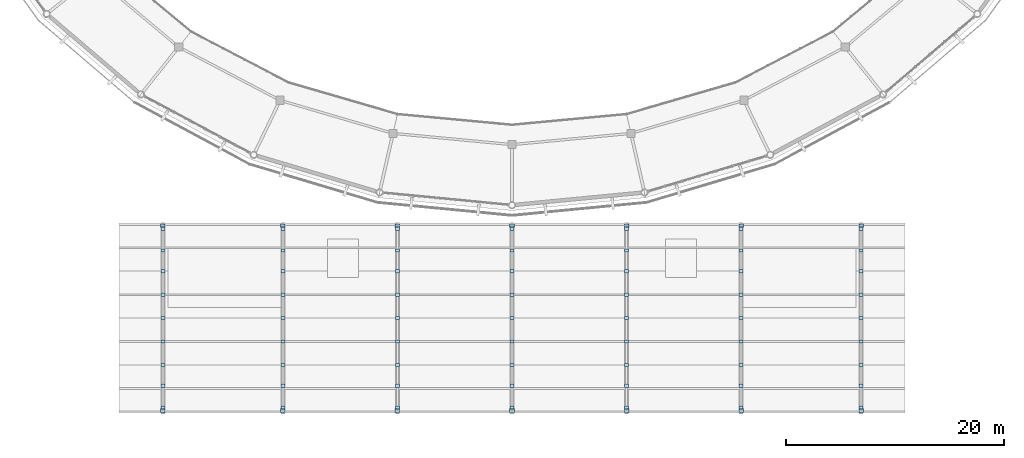
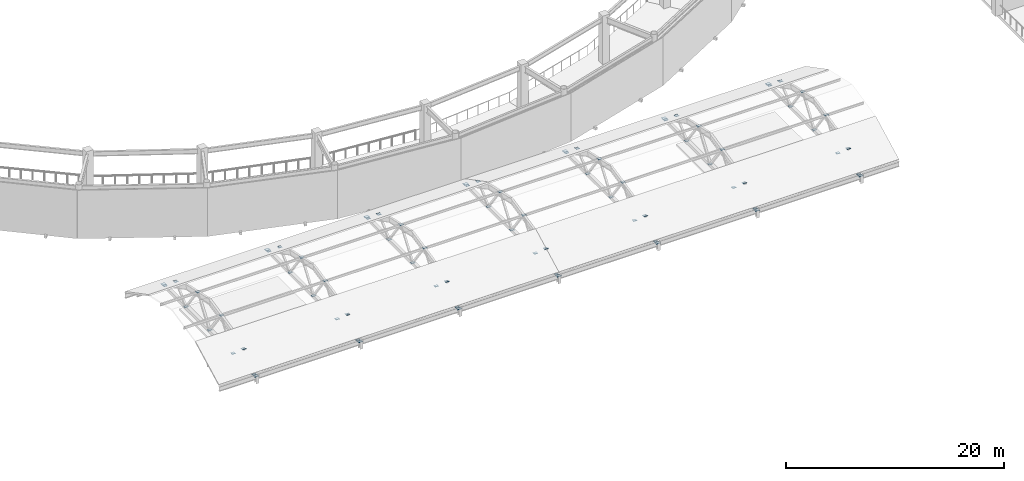
# One storey, part 50 of 70: 77 plates.
"""IFC4 building model written with IfcOpenShell, lengths in metres."""

from ifc_helpers import new_model, si_unit, direction, frame, origin, origin_2d, place, context, subcontext, project, spatial, rectangle, extrude, material, layer, layer_set, type_object, element, save


model = new_model("IFC4")

# Units and contexts
model_context = context("Model", 3, precision=1e-05, world=origin(), true_north=direction((0.0, 1.0)))
body_context = subcontext(model_context, "Body", "Model", "MODEL_VIEW")
ifc_project = project(units=[si_unit("LENGTHUNIT", "METRE"), si_unit("AREAUNIT", "SQUARE_METRE"), si_unit("VOLUMEUNIT", "CUBIC_METRE"), si_unit("PLANEANGLEUNIT", "RADIAN"), si_unit("MASSUNIT", "GRAM", prefix="KILO")], contexts=[model_context])

# Site, building, storey
site_placement = place(None, origin())
site = spatial("IfcSite", under=ifc_project, at=site_placement, CompositionType="ELEMENT")
building_placement = place(site_placement, origin())
building = spatial("IfcBuilding", under=site, at=building_placement, Name="Cuetzalor Civic Arena", CompositionType="ELEMENT")
storey_placement = place(building_placement, frame((0.0, 0.0, 21.0)))
storey = spatial("IfcBuildingStorey", under=building, at=storey_placement, Name="L04", CompositionType="ELEMENT", Elevation=21.0)

# Plates
ifc_material_1 = material(Name="Steel S355", Category="steel")
ifc_layer_1 = layer(ifc_material_1, 0.02001953125)
ifc_layer_set_1 = layer_set([ifc_layer_1], Name="Steel S355")
plate_type_1 = type_object("IfcPlateType", Name="TubeEndCapPlate_CP01", PredefinedType="SHEET", material=ifc_layer_set_1)
for number, where, z_axis, x_axis, name in (
    (1, (-32.0, -65.360107421875, 0.7041015625), (0.0, 0.0, 1.0), (1.0, 0.0, 0.0), "Vault Tie End Cap Plate 01-1"),
    (2, (-32.0, -48.43994140625, 0.7041015625), (0.0, 0.0, 1.0), (1.0, 0.0, 0.0), "Vault Tie End Cap Plate 01-2"),
    (3, (-21.0, -65.360107421875, 0.7041015625), (0.0, 0.0, 1.0), (1.0, 0.0, 0.0), "Vault Tie End Cap Plate 02-1"),
    (4, (-21.0, -48.43994140625, 0.7041015625), (0.0, 0.0, 1.0), (1.0, 0.0, 0.0), "Vault Tie End Cap Plate 02-2"),
    (5, (-10.5, -65.360107421875, 0.7041015625), (0.0, 0.0, 1.0), (1.0, 0.0, 0.0), "Vault Tie End Cap Plate 03-1"),
    (6, (-10.5, -48.43994140625, 0.7041015625), (0.0, 0.0, 1.0), (1.0, 0.0, 0.0), "Vault Tie End Cap Plate 03-2"),
    (7, (0.0, -65.360107421875, 0.7041015625), (0.0, 0.0, 1.0), (1.0, 0.0, 0.0), "Vault Tie End Cap Plate 04-1"),
    (8, (0.0, -48.43994140625, 0.7041015625), (0.0, 0.0, 1.0), (1.0, 0.0, 0.0), "Vault Tie End Cap Plate 04-2"),
    (9, (10.5, -65.360107421875, 0.7041015625), (0.0, 0.0, 1.0), (1.0, 0.0, 0.0), "Vault Tie End Cap Plate 05-1"),
    (10, (10.5, -48.43994140625, 0.7041015625), (0.0, 0.0, 1.0), (1.0, 0.0, 0.0), "Vault Tie End Cap Plate 05-2"),
    (11, (21.0, -65.360107421875, 0.7041015625), (0.0, 0.0, 1.0), (1.0, 0.0, 0.0), "Vault Tie End Cap Plate 06-1"),
    (12, (21.0, -48.43994140625, 0.7041015625), (0.0, 0.0, 1.0), (1.0, 0.0, 0.0), "Vault Tie End Cap Plate 06-2"),
    (13, (32.0, -65.360107421875, 0.7041015625), (0.0, 0.0, 1.0), (1.0, 0.0, 0.0), "Vault Tie End Cap Plate 07-1"),
    (14, (32.0, -48.43994140625, 0.7041015625), (0.0, 0.0, 1.0), (1.0, 0.0, 0.0), "Vault Tie End Cap Plate 07-2"),
):
    element("IfcPlate", number, at=place(storey_placement, frame(where, z_axis=z_axis, x_axis=x_axis)), inside=storey, type_object=plate_type_1, Name=name, PredefinedType="SHEET", context=body_context, shape_type="SweptSolid", body=[
        extrude(rectangle(XDim=0.419921875, YDim=0.360107421875, at=origin_2d()), origin(), (0.0, 0.0, 1.0), 0.02001953125),
    ])
ifc_material_2 = material(Name="Steel S355", Category="steel")
ifc_layer_2 = layer(ifc_material_2, 0.01611328125)
ifc_layer_set_2 = layer_set([ifc_layer_2], Name="Steel S355")
plate_type_2 = type_object("IfcPlateType", Name="TubeEndCapPlate_CP02", PredefinedType="SHEET", material=ifc_layer_set_2)
for number, where, z_axis, x_axis, name in (
    (15, (-32.0, -65.10009765625, 0.7060546875), (0.0, 0.0, 1.0), (1.0, 0.0, 0.0), "Vault Truss Node Plate 01-1"),
    (16, (-32.0, -63.10009765625, 2.380859375), (0.0, 0.0, 1.0), (1.0, 0.0, 0.0), "Vault Truss Node Plate 01-2"),
    (17, (-32.0, -61.199951171875, 0.7060546875), (0.0, 0.0, 1.0), (1.0, 0.0, 0.0), "Vault Truss Node Plate 01-3"),
    (18, (-32.0, -59.050048828125, 3.680908203125), (0.0, 0.0, 1.0), (1.0, 0.0, 0.0), "Vault Truss Node Plate 01-4"),
    (19, (-32.0, -56.89990234375, 0.7060546875), (0.0, 0.0, 1.0), (1.0, 0.0, 0.0), "Vault Truss Node Plate 01-5"),
    (20, (-32.0, -54.75, 3.680908203125), (0.0, 0.0, 1.0), (1.0, 0.0, 0.0), "Vault Truss Node Plate 01-6"),
    (21, (-32.0, -52.60009765625, 0.7060546875), (0.0, 0.0, 1.0), (1.0, 0.0, 0.0), "Vault Truss Node Plate 01-7"),
    (22, (-32.0, -50.699951171875, 2.380859375), (0.0, 0.0, 1.0), (1.0, 0.0, 0.0), "Vault Truss Node Plate 01-8"),
    (23, (-32.0, -48.699951171875, 0.7060546875), (0.0, 0.0, 1.0), (1.0, 0.0, 0.0), "Vault Truss Node Plate 01-9"),
    (24, (-21.0, -65.10009765625, 0.7060546875), (0.0, 0.0, 1.0), (1.0, 0.0, 0.0), "Vault Truss Node Plate 02-1"),
    (25, (-21.0, -63.10009765625, 2.380859375), (0.0, 0.0, 1.0), (1.0, 0.0, 0.0), "Vault Truss Node Plate 02-2"),
    (26, (-21.0, -61.199951171875, 0.7060546875), (0.0, 0.0, 1.0), (1.0, 0.0, 0.0), "Vault Truss Node Plate 02-3"),
    (27, (-21.0, -59.050048828125, 3.680908203125), (0.0, 0.0, 1.0), (1.0, 0.0, 0.0), "Vault Truss Node Plate 02-4"),
    (28, (-21.0, -56.89990234375, 0.7060546875), (0.0, 0.0, 1.0), (1.0, 0.0, 0.0), "Vault Truss Node Plate 02-5"),
    (29, (-21.0, -54.75, 3.680908203125), (0.0, 0.0, 1.0), (1.0, 0.0, 0.0), "Vault Truss Node Plate 02-6"),
    (30, (-21.0, -52.60009765625, 0.7060546875), (0.0, 0.0, 1.0), (1.0, 0.0, 0.0), "Vault Truss Node Plate 02-7"),
    (31, (-21.0, -50.699951171875, 2.380859375), (0.0, 0.0, 1.0), (1.0, 0.0, 0.0), "Vault Truss Node Plate 02-8"),
    (32, (-21.0, -48.699951171875, 0.7060546875), (0.0, 0.0, 1.0), (1.0, 0.0, 0.0), "Vault Truss Node Plate 02-9"),
    (33, (-10.5, -65.10009765625, 0.7060546875), (0.0, 0.0, 1.0), (1.0, 0.0, 0.0), "Vault Truss Node Plate 03-1"),
    (34, (-10.5, -63.10009765625, 2.380859375), (0.0, 0.0, 1.0), (1.0, 0.0, 0.0), "Vault Truss Node Plate 03-2"),
    (35, (-10.5, -61.199951171875, 0.7060546875), (0.0, 0.0, 1.0), (1.0, 0.0, 0.0), "Vault Truss Node Plate 03-3"),
    (36, (-10.5, -59.050048828125, 3.680908203125), (0.0, 0.0, 1.0), (1.0, 0.0, 0.0), "Vault Truss Node Plate 03-4"),
    (37, (-10.5, -56.89990234375, 0.7060546875), (0.0, 0.0, 1.0), (1.0, 0.0, 0.0), "Vault Truss Node Plate 03-5"),
    (38, (-10.5, -54.75, 3.680908203125), (0.0, 0.0, 1.0), (1.0, 0.0, 0.0), "Vault Truss Node Plate 03-6"),
    (39, (-10.5, -52.60009765625, 0.7060546875), (0.0, 0.0, 1.0), (1.0, 0.0, 0.0), "Vault Truss Node Plate 03-7"),
    (40, (-10.5, -50.699951171875, 2.380859375), (0.0, 0.0, 1.0), (1.0, 0.0, 0.0), "Vault Truss Node Plate 03-8"),
    (41, (-10.5, -48.699951171875, 0.7060546875), (0.0, 0.0, 1.0), (1.0, 0.0, 0.0), "Vault Truss Node Plate 03-9"),
    (42, (0.0, -65.10009765625, 0.7060546875), (0.0, 0.0, 1.0), (1.0, 0.0, 0.0), "Vault Truss Node Plate 04-1"),
    (43, (0.0, -63.10009765625, 2.380859375), (0.0, 0.0, 1.0), (1.0, 0.0, 0.0), "Vault Truss Node Plate 04-2"),
    (44, (0.0, -61.199951171875, 0.7060546875), (0.0, 0.0, 1.0), (1.0, 0.0, 0.0), "Vault Truss Node Plate 04-3"),
    (45, (0.0, -59.050048828125, 3.680908203125), (0.0, 0.0, 1.0), (1.0, 0.0, 0.0), "Vault Truss Node Plate 04-4"),
    (46, (0.0, -56.89990234375, 0.7060546875), (0.0, 0.0, 1.0), (1.0, 0.0, 0.0), "Vault Truss Node Plate 04-5"),
    (47, (0.0, -54.75, 3.680908203125), (0.0, 0.0, 1.0), (1.0, 0.0, 0.0), "Vault Truss Node Plate 04-6"),
    (48, (0.0, -52.60009765625, 0.7060546875), (0.0, 0.0, 1.0), (1.0, 0.0, 0.0), "Vault Truss Node Plate 04-7"),
    (49, (0.0, -50.699951171875, 2.380859375), (0.0, 0.0, 1.0), (1.0, 0.0, 0.0), "Vault Truss Node Plate 04-8"),
    (50, (0.0, -48.699951171875, 0.7060546875), (0.0, 0.0, 1.0), (1.0, 0.0, 0.0), "Vault Truss Node Plate 04-9"),
    (51, (10.5, -65.10009765625, 0.7060546875), (0.0, 0.0, 1.0), (1.0, 0.0, 0.0), "Vault Truss Node Plate 05-1"),
    (52, (10.5, -63.10009765625, 2.380859375), (0.0, 0.0, 1.0), (1.0, 0.0, 0.0), "Vault Truss Node Plate 05-2"),
    (53, (10.5, -61.199951171875, 0.7060546875), (0.0, 0.0, 1.0), (1.0, 0.0, 0.0), "Vault Truss Node Plate 05-3"),
    (54, (10.5, -59.050048828125, 3.680908203125), (0.0, 0.0, 1.0), (1.0, 0.0, 0.0), "Vault Truss Node Plate 05-4"),
    (55, (10.5, -56.89990234375, 0.7060546875), (0.0, 0.0, 1.0), (1.0, 0.0, 0.0), "Vault Truss Node Plate 05-5"),
    (56, (10.5, -54.75, 3.680908203125), (0.0, 0.0, 1.0), (1.0, 0.0, 0.0), "Vault Truss Node Plate 05-6"),
    (57, (10.5, -52.60009765625, 0.7060546875), (0.0, 0.0, 1.0), (1.0, 0.0, 0.0), "Vault Truss Node Plate 05-7"),
    (58, (10.5, -50.699951171875, 2.380859375), (0.0, 0.0, 1.0), (1.0, 0.0, 0.0), "Vault Truss Node Plate 05-8"),
    (59, (10.5, -48.699951171875, 0.7060546875), (0.0, 0.0, 1.0), (1.0, 0.0, 0.0), "Vault Truss Node Plate 05-9"),
    (60, (21.0, -65.10009765625, 0.7060546875), (0.0, 0.0, 1.0), (1.0, 0.0, 0.0), "Vault Truss Node Plate 06-1"),
    (61, (21.0, -63.10009765625, 2.380859375), (0.0, 0.0, 1.0), (1.0, 0.0, 0.0), "Vault Truss Node Plate 06-2"),
    (62, (21.0, -61.199951171875, 0.7060546875), (0.0, 0.0, 1.0), (1.0, 0.0, 0.0), "Vault Truss Node Plate 06-3"),
    (63, (21.0, -59.050048828125, 3.680908203125), (0.0, 0.0, 1.0), (1.0, 0.0, 0.0), "Vault Truss Node Plate 06-4"),
    (64, (21.0, -56.89990234375, 0.7060546875), (0.0, 0.0, 1.0), (1.0, 0.0, 0.0), "Vault Truss Node Plate 06-5"),
    (65, (21.0, -54.75, 3.680908203125), (0.0, 0.0, 1.0), (1.0, 0.0, 0.0), "Vault Truss Node Plate 06-6"),
    (66, (21.0, -52.60009765625, 0.7060546875), (0.0, 0.0, 1.0), (1.0, 0.0, 0.0), "Vault Truss Node Plate 06-7"),
    (67, (21.0, -50.699951171875, 2.380859375), (0.0, 0.0, 1.0), (1.0, 0.0, 0.0), "Vault Truss Node Plate 06-8"),
    (68, (21.0, -48.699951171875, 0.7060546875), (0.0, 0.0, 1.0), (1.0, 0.0, 0.0), "Vault Truss Node Plate 06-9"),
    (69, (32.0, -65.10009765625, 0.7060546875), (0.0, 0.0, 1.0), (1.0, 0.0, 0.0), "Vault Truss Node Plate 07-1"),
    (70, (32.0, -63.10009765625, 2.380859375), (0.0, 0.0, 1.0), (1.0, 0.0, 0.0), "Vault Truss Node Plate 07-2"),
    (71, (32.0, -61.199951171875, 0.7060546875), (0.0, 0.0, 1.0), (1.0, 0.0, 0.0), "Vault Truss Node Plate 07-3"),
    (72, (32.0, -59.050048828125, 3.680908203125), (0.0, 0.0, 1.0), (1.0, 0.0, 0.0), "Vault Truss Node Plate 07-4"),
    (73, (32.0, -56.89990234375, 0.7060546875), (0.0, 0.0, 1.0), (1.0, 0.0, 0.0), "Vault Truss Node Plate 07-5"),
    (74, (32.0, -54.75, 3.680908203125), (0.0, 0.0, 1.0), (1.0, 0.0, 0.0), "Vault Truss Node Plate 07-6"),
    (75, (32.0, -52.60009765625, 0.7060546875), (0.0, 0.0, 1.0), (1.0, 0.0, 0.0), "Vault Truss Node Plate 07-7"),
    (76, (32.0, -50.699951171875, 2.380859375), (0.0, 0.0, 1.0), (1.0, 0.0, 0.0), "Vault Truss Node Plate 07-8"),
    (77, (32.0, -48.699951171875, 0.7060546875), (0.0, 0.0, 1.0), (1.0, 0.0, 0.0), "Vault Truss Node Plate 07-9"),
):
    element("IfcPlate", number, at=place(storey_placement, frame(where, z_axis=z_axis, x_axis=x_axis)), inside=storey, type_object=plate_type_2, Name=name, PredefinedType="SHEET", context=body_context, shape_type="SweptSolid", body=[
        extrude(rectangle(XDim=0.360107421875, YDim=0.300048828125, at=origin_2d()), origin(), (0.0, 0.0, 1.0), 0.01611328125),
    ])

save(model, "model.ifc")
